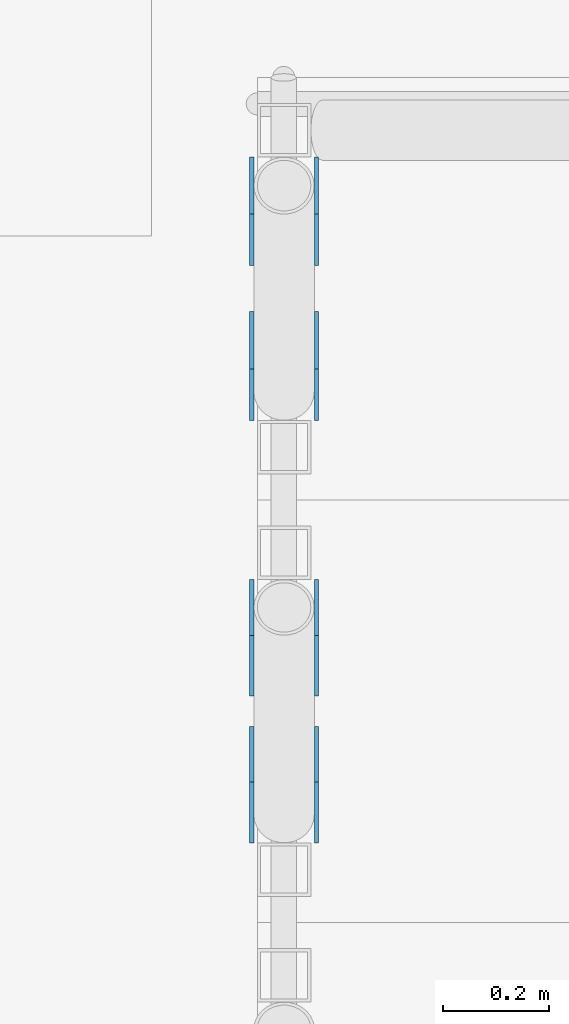
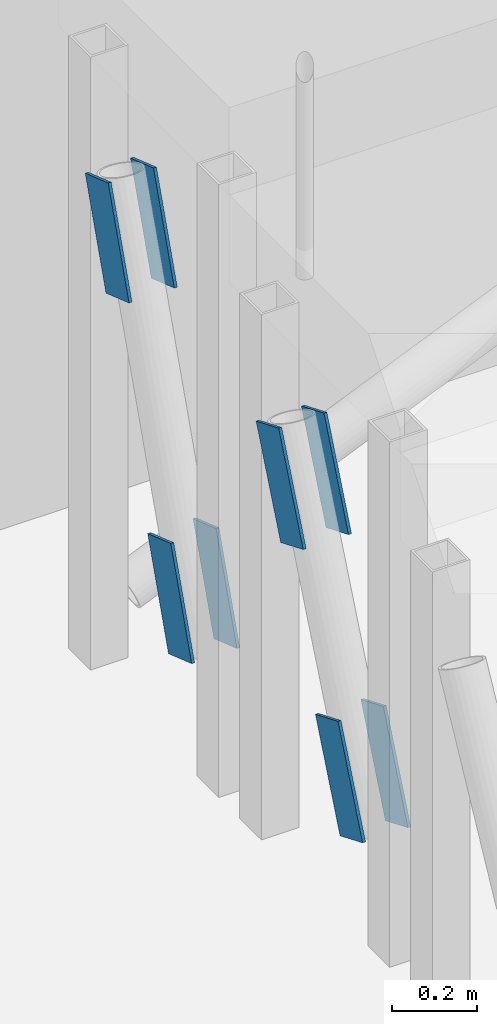
# One storey, part 101 of 139: 8 discrete accessories.
"""IFC4 building model written with IfcOpenShell, lengths in metres."""

from ifc_helpers import new_model, si_unit, direction, frame, origin, origin_2d, place, context, subcontext, project, spatial, rectangle, extrude, material, material_profile, profile_set, type_object, element, save


model = new_model("IFC4")

# Units and contexts
model_context = context("Model", 3, precision=1e-05, world=origin(), true_north=direction((0.0, 1.0)))
body_context = subcontext(model_context, "Body", "Model", "MODEL_VIEW")
ifc_project = project(units=[si_unit("LENGTHUNIT", "METRE"), si_unit("AREAUNIT", "SQUARE_METRE"), si_unit("VOLUMEUNIT", "CUBIC_METRE"), si_unit("PLANEANGLEUNIT", "RADIAN"), si_unit("MASSUNIT", "GRAM", prefix="KILO")], contexts=[model_context])

# Site, building, storey
site_placement = place(None, origin())
site = spatial("IfcSite", under=ifc_project, at=site_placement, CompositionType="ELEMENT")
building_placement = place(site_placement, origin())
building = spatial("IfcBuilding", under=site, at=building_placement, Name="Verrick Yard Athletic Hall", CompositionType="ELEMENT")
storey_placement = place(building_placement, origin())
storey = spatial("IfcBuildingStorey", under=building, at=storey_placement, Name="L00", CompositionType="ELEMENT", Elevation=0.0)

# Discrete accessories
ifc_material = material(Name="Structural steel 350W (CSA G40.21)", Category="steel")
ifc_material_profile = material_profile(ifc_material, rectangle(XDim=0.300048828125, YDim=0.1142578125, at=origin_2d()), Name="Brace end cheek plate")
ifc_profile_set = profile_set([ifc_material_profile], Name="Structural steel 350W (CSA G40.21)")
discrete_accessory_type = type_object("IfcDiscreteAccessoryType", Name="Brace end cheek plate 300x114x8", PredefinedType="BRACKET", material=ifc_profile_set)
for number, where, z_axis, x_axis, name in (
    (1, (36.193603515625, 98.861083984375, 0.41552734375), (-1.0, 0.0, 0.0), (0.0, 0.38356594195, 0.923513491063), "Seating brace end plate RSB1-a7 1"),
    (2, (36.307861328125, 98.861083984375, 0.41552734375), (1.0, 0.0, 0.0), (0.0, 0.38356594195, 0.923513491063), "Seating brace end plate RSB1-a7 2"),
    (3, (36.307861328125, 99.138916015625, 1.08447265625), (1.0, 0.0, 0.0), (0.0, -0.38356594195, -0.923513491063), "Seating brace end plate RSB1-a7 1"),
    (4, (36.193603515625, 99.138916015625, 1.08447265625), (-1.0, 0.0, 0.0), (0.0, -0.38356594195, -0.923513491063), "Seating brace end plate RSB1-a7 2"),
    (5, (36.193603515625, 99.653564453125, 0.448974609375), (-1.0, 0.0, 0.0), (0.0, 0.325057902003, 0.945694115634), "Seating brace end plate RSB1-a8 1"),
    (6, (36.307861328125, 99.653564453125, 0.448974609375), (1.0, 0.0, 0.0), (0.0, 0.325057902003, 0.945694115634), "Seating brace end plate RSB1-a8 2"),
    (7, (36.307861328125, 99.9462890625, 1.301025390625), (1.0, 0.0, 0.0), (0.0, -0.325057902003, -0.945694115634), "Seating brace end plate RSB1-a8 1"),
    (8, (36.193603515625, 99.9462890625, 1.301025390625), (-1.0, 0.0, 0.0), (0.0, -0.325057902003, -0.945694115634), "Seating brace end plate RSB1-a8 2"),
):
    element("IfcDiscreteAccessory", number, at=place(storey_placement, frame(where, z_axis=z_axis, x_axis=x_axis)), inside=storey, type_object=discrete_accessory_type, Name=name, PredefinedType="BRACKET", context=body_context, shape_type="SweptSolid", body=[
        extrude(rectangle(XDim=0.300048828125, YDim=0.1142578125, at=origin_2d()), origin(), (0.0, 0.0, 1.0), 0.008056640625),
    ])

save(model, "model.ifc")
